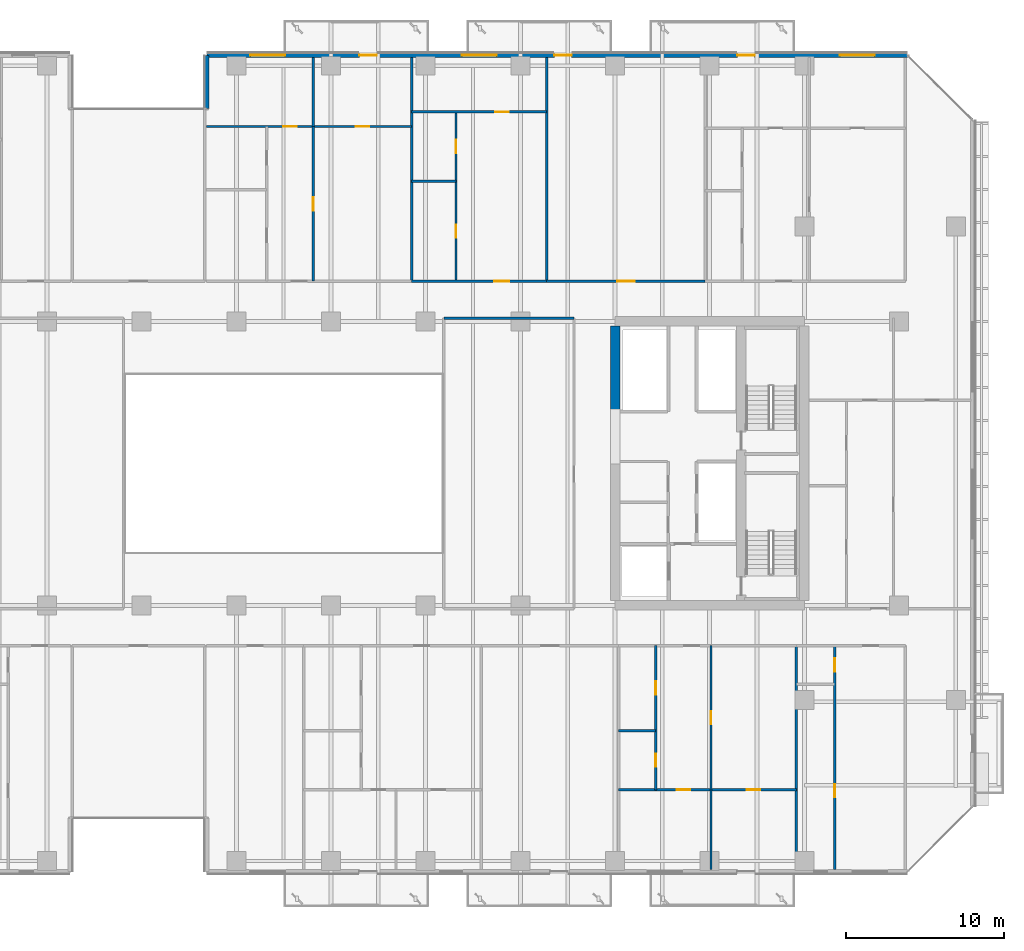
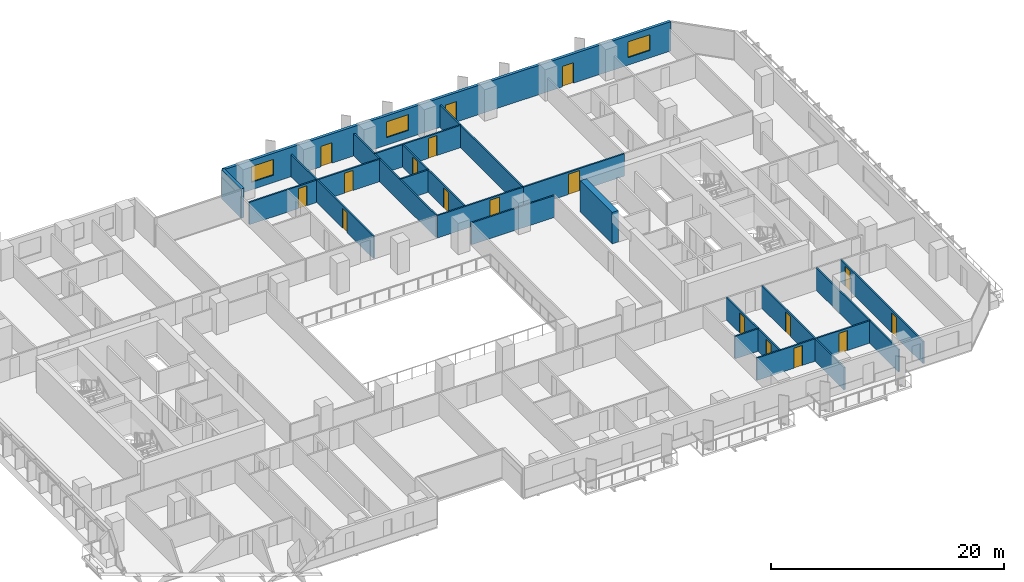
# One storey, part 21 of 33: 21 walls, 18 doors, 3 windows, 21 openings.
"""IFC4 building model written with IfcOpenShell, lengths in metres."""

from ifc_helpers import new_model, si_unit, direction, frame, frame_2d, origin, place, context, subcontext, project, spatial, rectangle, extrude, material, layer, layer_set, type_object, element, fill, save


model = new_model("IFC4")

# Units and contexts
model_context = context("Model", 3, precision=1e-05, world=origin(), true_north=direction((0.0, 1.0)))
body_context = subcontext(model_context, "Body", "Model", "MODEL_VIEW")
ifc_project = project(units=[si_unit("LENGTHUNIT", "METRE"), si_unit("AREAUNIT", "SQUARE_METRE"), si_unit("VOLUMEUNIT", "CUBIC_METRE"), si_unit("PLANEANGLEUNIT", "RADIAN"), si_unit("MASSUNIT", "GRAM", prefix="KILO")], contexts=[model_context])

# Site, building, storey
site_placement = place(None, origin())
site = spatial("IfcSite", under=ifc_project, at=site_placement, CompositionType="ELEMENT")
building_placement = place(site_placement, origin())
building = spatial("IfcBuilding", under=site, at=building_placement, Name="Tanjung Sevakor Pilgrim Tower", CompositionType="ELEMENT")
storey_placement = place(building_placement, frame((0.0, 0.0, 35.639892578125)))
storey = spatial("IfcBuildingStorey", under=building, at=storey_placement, Name="L09", CompositionType="ELEMENT", Elevation=35.639892578125)

# Walls
ifc_material_1 = material(Name="Concrete C60/75", Category="concrete")
ifc_layer_1 = layer(ifc_material_1, 0.60009765625)
ifc_layer_set_1 = layer_set([ifc_layer_1], Name="WALL-CW-600")
wall_type_1 = type_object("IfcWallType", Name="WALL-CW-600", PredefinedType="SHEAR", material=ifc_layer_set_1)
wall_1_placement = place(storey_placement, frame((78.0, 36.800048828125, 0.0), z_axis=(0.0, 0.0, 1.0), x_axis=(0.0, 1.0, 0.0)))
element("IfcWall", 1, at=wall_1_placement, inside=storey, type_object=wall_type_1, Name="L09 E Core Inner Shear Wall North", PredefinedType="SHEAR", context=body_context, shape_type="SweptSolid", body=[
    extrude(rectangle(XDim=5.5, YDim=0.60009765625, at=frame_2d((2.75, 0.0))), origin(), (0.0, 0.0, 1.0), 3.300048828125),
])
ifc_material_2 = material(Name="Concrete C40/50", Category="concrete")
ifc_layer_2 = layer(ifc_material_2, 0.14990234375)
ifc_layer_set_2 = layer_set([ifc_layer_2], Name="WT-COMP-150")
wall_type_2 = type_object("IfcWallType", Name="WT-COMP-150", PredefinedType="SOLIDWALL", material=ifc_layer_set_2)
wall_2_placement = place(storey_placement, frame((67.14990234375, 42.800048828125, 0.0), z_axis=(0.0, 0.0, 1.0), x_axis=(1.0, 0.0, 0.0)))
element("IfcWall", 2, at=wall_2_placement, inside=storey, type_object=wall_type_2, Name="L09 Partition IW-L09-028", PredefinedType="SOLIDWALL", context=body_context, shape_type="SweptSolid", body=[
    extrude(rectangle(XDim=8.25, YDim=0.14990234375, at=frame_2d((4.125, 0.0))), origin(), (0.0, 0.0, 1.0), 2.295166015625),
])
for number, where, z_axis, x_axis, name in (
    (3, (89.4892578125, 7.8798828125, 0.0), (0.0, 0.0, 1.0), (0.0, 1.0, 0.0), "L09 Partition IW-L09-069"),
    (4, (65.10888671875, 45.14990234375, 0.0), (0.0, 0.0, 1.0), (0.0, 1.0, 0.0), "L09 Partition IW-L09-092"),
    (5, (73.669677734375, 45.14990234375, 0.0), (0.0, 0.0, 1.0), (0.0, 1.0, 0.0), "L09 Partition IW-L09-099"),
):
    element("IfcWall", number, at=place(storey_placement, frame(where, z_axis=z_axis, x_axis=x_axis)), inside=storey, type_object=wall_type_2, Name=name, PredefinedType="SOLIDWALL", context=body_context, shape_type="SweptSolid", body=[
        extrude(rectangle(XDim=14.170166015625, YDim=0.14990234375, at=frame_2d((7.0849609375, 0.0))), origin(), (0.0, 0.0, 1.0), 2.35009765625),
    ])

# Wall, opening, door
wall_3_placement = place(storey_placement, frame((65.10888671875, 45.14990234375, 0.0), z_axis=(0.0, 0.0, 1.0), x_axis=(1.0, 0.0, 0.0)))
wall_3 = element("IfcWall", 6, at=wall_3_placement, inside=storey, type_object=wall_type_2, Name="L09 Partition IW-L09-103", PredefinedType="SOLIDWALL", context=body_context, shape_type="SweptSolid", body=[
    extrude(rectangle(XDim=8.560791015625, YDim=0.14990234375, at=frame_2d((4.2802734375, 0.0))), origin(), (0.0, 0.0, 1.0), 2.35009765625),
])
opening_1_placement = place(wall_3_placement, frame((5.2509765625, 0.0, 0.0)))
opening_1 = element("IfcOpeningElement", 7, at=opening_1_placement, cuts=wall_3, Name="Opening ID-FD2", PredefinedType="OPENING", context=body_context, shape_type="SweptSolid", body=[
    extrude(rectangle(XDim=0.949951171875, YDim=2.14990234375, at=frame_2d((0.47509765625, 1.074951171875))), frame((0.0, 0.0849609375, 0.0), z_axis=(0.0, -1.0, 0.0), x_axis=(1.0, 0.0, 0.0)), (0.0, 0.0, 1.0), 0.169921875),
])
ifc_material_3 = material(Name="Fire-Rated Timber", Category="wood")
door_type_1 = type_object("IfcDoorType", Name="DT-FIRE-950", OperationType="NOTDEFINED", PredefinedType="DOOR", material=ifc_material_3)
door_1_placement = place(opening_1_placement, origin())
door_1 = element("IfcDoor", 8, at=door_1_placement, inside=storey, type_object=door_type_1, Name="Residence Entrance", OperationType="SINGLE_SWING_LEFT", OverallHeight=2.14990234375, OverallWidth=0.949951171875, PredefinedType="DOOR", context=body_context, shape_type="SweptSolid", body=[
    extrude(rectangle(XDim=0.949951171875, YDim=2.14990234375, at=frame_2d((0.47509765625, 1.074951171875))), frame((0.0, 0.02490234375, 0.0), z_axis=(0.0, -1.0, 0.0), x_axis=(1.0, 0.0, 0.0)), (0.0, 0.0, 1.0), 0.050048828125),
])
fill(opening_1, door_1)

wall_4_placement = place(storey_placement, frame((73.669677734375, 45.14990234375, 0.0), z_axis=(0.0, 0.0, 1.0), x_axis=(1.0, 0.0, 0.0)))
wall_4 = element("IfcWall", 9, at=wall_4_placement, inside=storey, type_object=wall_type_2, Name="L09 Partition IW-L09-105", PredefinedType="SOLIDWALL", context=body_context, shape_type="SweptSolid", body=[
    extrude(rectangle(XDim=10.03662109375, YDim=0.14990234375, at=frame_2d((5.018310546875, 0.0))), origin(), (0.0, 0.0, 1.0), 2.35009765625),
])
opening_2_placement = place(wall_4_placement, frame((4.468505859375, 0.0, 0.0)))
opening_2 = element("IfcOpeningElement", 10, at=opening_2_placement, cuts=wall_4, Name="Opening ID-FD0", PredefinedType="OPENING", context=body_context, shape_type="SweptSolid", body=[
    extrude(rectangle(XDim=1.10009765625, YDim=2.14990234375, at=frame_2d((0.550048828125, 1.074951171875))), frame((0.0, 0.0849609375, 0.0), z_axis=(0.0, -1.0, 0.0), x_axis=(1.0, 0.0, 0.0)), (0.0, 0.0, 1.0), 0.169921875),
])
ifc_material_4 = material(Name="Fire-Rated Steel S355J2", Category="steel")
door_type_2 = type_object("IfcDoorType", Name="DT-FIRE-1100", OperationType="NOTDEFINED", PredefinedType="DOOR", material=ifc_material_4)
door_2_placement = place(opening_2_placement, origin())
door_2 = element("IfcDoor", 11, at=door_2_placement, inside=storey, type_object=door_type_2, Name="Council Room Door", OperationType="SINGLE_SWING_RIGHT", OverallHeight=2.14990234375, OverallWidth=1.10009765625, PredefinedType="DOOR", context=body_context, shape_type="SweptSolid", body=[
    extrude(rectangle(XDim=1.10009765625, YDim=2.14990234375, at=frame_2d((0.550048828125, 1.074951171875))), frame((0.0, 0.02490234375, 0.0), z_axis=(0.0, -1.0, 0.0), x_axis=(1.0, 0.0, 0.0)), (0.0, 0.0, 1.0), 0.050048828125),
])
fill(opening_2, door_2)

# Wall, openings, doors, windows
ifc_material_5 = material(Name="Precast concrete C45/55", Category="concrete")
ifc_layer_3 = layer(ifc_material_5, 0.280029296875)
ifc_layer_set_3 = layer_set([ifc_layer_3], Name="WT-EW-STN2")
wall_type_3 = type_object("IfcWallType", Name="WT-EW-STN2", PredefinedType="SOLIDWALL", material=ifc_layer_set_3)
wall_5_placement = place(storey_placement, frame((96.5419921875, 59.4599609375, 0.0), z_axis=(0.0, 0.0, 1.0), x_axis=(-1.0, 0.0, 0.0)))
wall_5 = element("IfcWall", 12, at=wall_5_placement, inside=storey, type_object=wall_type_3, Name="L09 MAIN Exterior Wall 9", PredefinedType="SOLIDWALL", context=body_context, shape_type="SweptSolid", body=[
    extrude(rectangle(XDim=44.402099609375, YDim=0.280029296875, at=frame_2d((22.201171875, 0.0))), origin(), (0.0, 0.0, 1.0), 3.080078125),
])
opening_3_placement = place(wall_5_placement, frame((33.64208984375, 0.0, 0.0)))
opening_3 = element("IfcOpeningElement", 13, at=opening_3_placement, cuts=wall_5, Name="Opening ED-BAL-1100", PredefinedType="OPENING", context=body_context, shape_type="SweptSolid", body=[
    extrude(rectangle(XDim=1.10009765625, YDim=2.14990234375, at=frame_2d((0.550048828125, 1.074951171875))), frame((0.0, 0.14990234375, 0.0), z_axis=(0.0, -1.0, 0.0), x_axis=(1.0, 0.0, 0.0)), (0.0, 0.0, 1.0), 0.300048828125),
])
opening_4_placement = place(wall_5_placement, frame((21.2919921875, 0.0, 0.0)))
opening_4 = element("IfcOpeningElement", 14, at=opening_4_placement, cuts=wall_5, Name="Opening ED-BAL-1100", PredefinedType="OPENING", context=body_context, shape_type="SweptSolid", body=[
    extrude(rectangle(XDim=1.10009765625, YDim=2.14990234375, at=frame_2d((0.550048828125, 1.074951171875))), frame((0.0, 0.14990234375, 0.0), z_axis=(0.0, -1.0, 0.0), x_axis=(1.0, 0.0, 0.0)), (0.0, 0.0, 1.0), 0.300048828125),
])
opening_5_placement = place(wall_5_placement, frame((9.69189453125, 0.0, 0.0)))
opening_5 = element("IfcOpeningElement", 15, at=opening_5_placement, cuts=wall_5, Name="Opening ED-BAL-1100", PredefinedType="OPENING", context=body_context, shape_type="SweptSolid", body=[
    extrude(rectangle(XDim=1.10009765625, YDim=2.14990234375, at=frame_2d((0.550048828125, 1.074951171875))), frame((0.0, 0.14990234375, 0.0), z_axis=(0.0, -1.0, 0.0), x_axis=(1.0, 0.0, 0.0)), (0.0, 0.0, 1.0), 0.300048828125),
])
opening_6_placement = place(wall_5_placement, frame((39.454833984375, 0.0, 0.780029296875)))
opening_6 = element("IfcOpeningElement", 16, at=opening_6_placement, cuts=wall_5, Name="Opening WN-Z1-1660", PredefinedType="OPENING", context=body_context, shape_type="SweptSolid", body=[
    extrude(rectangle(XDim=2.199951171875, YDim=1.659912109375, at=frame_2d((1.10009765625, 0.830078125))), frame((0.0, 0.14990234375, 0.0), z_axis=(0.0, -1.0, 0.0), x_axis=(1.0, 0.0, 0.0)), (0.0, 0.0, 1.0), 0.300048828125),
])
opening_7_placement = place(wall_5_placement, frame((26.052734375, 0.0, 0.780029296875)))
opening_7 = element("IfcOpeningElement", 17, at=opening_7_placement, cuts=wall_5, Name="Opening WN-Z1-1660", PredefinedType="OPENING", context=body_context, shape_type="SweptSolid", body=[
    extrude(rectangle(XDim=2.199951171875, YDim=1.659912109375, at=frame_2d((1.10009765625, 0.830078125))), frame((0.0, 0.14990234375, 0.0), z_axis=(0.0, -1.0, 0.0), x_axis=(1.0, 0.0, 0.0)), (0.0, 0.0, 1.0), 0.300048828125),
])
opening_8_placement = place(wall_5_placement, frame((2.098388671875, 0.0, 0.780029296875)))
opening_8 = element("IfcOpeningElement", 18, at=opening_8_placement, cuts=wall_5, Name="Opening WN-Z1-1660", PredefinedType="OPENING", context=body_context, shape_type="SweptSolid", body=[
    extrude(rectangle(XDim=2.199951171875, YDim=1.659912109375, at=frame_2d((1.10009765625, 0.830078125))), frame((0.0, 0.14990234375, 0.0), z_axis=(0.0, -1.0, 0.0), x_axis=(1.0, 0.0, 0.0)), (0.0, 0.0, 1.0), 0.300048828125),
])
ifc_material_6 = material(Name="Anodised Aluminium and Laminated Glass", Category="aluminium")
door_type_3 = type_object("IfcDoorType", Name="DTYP-ED-BAL-1100", OperationType="NOTDEFINED", PredefinedType="DOOR", material=ifc_material_6)
door_3_placement = place(opening_3_placement, frame((1.10009765625, 0.0, 0.0), z_axis=(0.0, 0.0, 1.0), x_axis=(-1.0, 0.0, 0.0)))
door_3 = element("IfcDoor", 19, at=door_3_placement, inside=storey, type_object=door_type_3, Name="L09 Balcony Door MAIN-N2", OperationType="SINGLE_SWING_LEFT", OverallHeight=2.14990234375, OverallWidth=1.10009765625, PredefinedType="DOOR", context=body_context, shape_type="SweptSolid", body=[
    extrude(rectangle(XDim=1.10009765625, YDim=2.14990234375, at=frame_2d((0.550048828125, 1.074951171875))), frame((0.0, 0.02490234375, 0.0), z_axis=(0.0, -1.0, 0.0), x_axis=(1.0, 0.0, 0.0)), (0.0, 0.0, 1.0), 0.050048828125),
])
fill(opening_3, door_3)
door_4_placement = place(opening_4_placement, frame((1.10009765625, 0.0, 0.0), z_axis=(0.0, 0.0, 1.0), x_axis=(-1.0, 0.0, 0.0)))
door_4 = element("IfcDoor", 20, at=door_4_placement, inside=storey, type_object=door_type_3, Name="L09 Balcony Door MAIN-N3", OperationType="SINGLE_SWING_RIGHT", OverallHeight=2.14990234375, OverallWidth=1.10009765625, PredefinedType="DOOR", context=body_context, shape_type="SweptSolid", body=[
    extrude(rectangle(XDim=1.10009765625, YDim=2.14990234375, at=frame_2d((0.550048828125, 1.074951171875))), frame((0.0, 0.02490234375, 0.0), z_axis=(0.0, -1.0, 0.0), x_axis=(1.0, 0.0, 0.0)), (0.0, 0.0, 1.0), 0.050048828125),
])
fill(opening_4, door_4)
door_5_placement = place(opening_5_placement, frame((1.10009765625, 0.0, 0.0), z_axis=(0.0, 0.0, 1.0), x_axis=(-1.0, 0.0, 0.0)))
door_5 = element("IfcDoor", 21, at=door_5_placement, inside=storey, type_object=door_type_3, Name="L09 Balcony Door MAIN-N4", OperationType="SINGLE_SWING_LEFT", OverallHeight=2.14990234375, OverallWidth=1.10009765625, PredefinedType="DOOR", context=body_context, shape_type="SweptSolid", body=[
    extrude(rectangle(XDim=1.10009765625, YDim=2.14990234375, at=frame_2d((0.550048828125, 1.074951171875))), frame((0.0, 0.02490234375, 0.0), z_axis=(0.0, -1.0, 0.0), x_axis=(1.0, 0.0, 0.0)), (0.0, 0.0, 1.0), 0.050048828125),
])
fill(opening_5, door_5)
ifc_material_7 = material(Name="Thermally Broken Aluminium and Low-E Glass", Category="aluminium")
window_type = type_object("IfcWindowType", Name="WTYP-WN-Z1-1660", PartitioningType="DOUBLE_PANEL_VERTICAL", PredefinedType="WINDOW", material=ifc_material_7)
window_1_placement = place(opening_6_placement, origin())
window_1 = element("IfcWindow", 22, at=window_1_placement, inside=storey, type_object=window_type, Name="L09 Facade Window 01", OverallHeight=1.659912109375, OverallWidth=2.199951171875, PartitioningType="SINGLE_PANEL", PredefinedType="WINDOW", context=body_context, shape_type="SweptSolid", body=[
    extrude(rectangle(XDim=2.199951171875, YDim=1.659912109375, at=frame_2d((1.10009765625, 0.830078125))), frame((0.0, 0.030029296875, 0.0), z_axis=(0.0, -1.0, 0.0), x_axis=(1.0, 0.0, 0.0)), (0.0, 0.0, 1.0), 0.06005859375),
])
fill(opening_6, window_1)
window_2_placement = place(opening_7_placement, origin())
window_2 = element("IfcWindow", 23, at=window_2_placement, inside=storey, type_object=window_type, Name="L09 Facade Window 02", OverallHeight=1.659912109375, OverallWidth=2.199951171875, PartitioningType="SINGLE_PANEL", PredefinedType="WINDOW", context=body_context, shape_type="SweptSolid", body=[
    extrude(rectangle(XDim=2.199951171875, YDim=1.659912109375, at=frame_2d((1.10009765625, 0.830078125))), frame((0.0, 0.030029296875, 0.0), z_axis=(0.0, -1.0, 0.0), x_axis=(1.0, 0.0, 0.0)), (0.0, 0.0, 1.0), 0.06005859375),
])
fill(opening_7, window_2)
window_3_placement = place(opening_8_placement, origin())
window_3 = element("IfcWindow", 24, at=window_3_placement, inside=storey, type_object=window_type, Name="L09 Facade Window 03", OverallHeight=1.659912109375, OverallWidth=2.199951171875, PartitioningType="SINGLE_PANEL", PredefinedType="WINDOW", context=body_context, shape_type="SweptSolid", body=[
    extrude(rectangle(XDim=2.199951171875, YDim=1.659912109375, at=frame_2d((1.10009765625, 0.830078125))), frame((0.0, 0.030029296875, 0.0), z_axis=(0.0, -1.0, 0.0), x_axis=(1.0, 0.0, 0.0)), (0.0, 0.0, 1.0), 0.06005859375),
])
fill(opening_8, window_3)

# Wall
wall_6_placement = place(storey_placement, frame((52.139892578125, 59.4599609375, 0.0), z_axis=(0.0, 0.0, 1.0), x_axis=(0.0, -1.0, 0.0)))
element("IfcWall", 25, at=wall_6_placement, inside=storey, type_object=wall_type_3, Name="L09 MAIN Exterior Wall 10", PredefinedType="SOLIDWALL", context=body_context, shape_type="SweptSolid", body=[
    extrude(rectangle(XDim=3.39990234375, YDim=0.280029296875, at=frame_2d((1.699951171875, 0.0))), origin(), (0.0, 0.0, 1.0), 3.080078125),
])

# Wall, opening, door
ifc_material_8 = material(Name="Gypsum Board Partition", Category="gypsum board")
ifc_layer_4 = layer(ifc_material_8, 0.14990234375)
ifc_layer_set_4 = layer_set([ifc_layer_4], Name="WT-PART-150")
wall_type_4 = type_object("IfcWallType", Name="WT-PART-150", PredefinedType="PARTITIONING", material=ifc_layer_set_4)
wall_7_placement = place(storey_placement, frame((84.08349609375, 12.91748046875, 0.0), z_axis=(0.0, 0.0, 1.0), x_axis=(0.0, 1.0, 0.0)))
wall_7 = element("IfcWall", 26, at=wall_7_placement, inside=storey, type_object=wall_type_4, Name="L09 Partition IW-L09-070", PredefinedType="PARTITIONING", context=body_context, shape_type="SweptSolid", body=[
    extrude(rectangle(XDim=9.132568359375, YDim=0.14990234375, at=frame_2d((4.56640625, 0.0))), origin(), (0.0, 0.0, 1.0), 2.35009765625),
])
opening_9_placement = place(wall_7_placement, frame((4.141357421875, 0.0, 0.0)))
opening_9 = element("IfcOpeningElement", 27, at=opening_9_placement, cuts=wall_7, Name="Opening ID-WC1", PredefinedType="OPENING", context=body_context, shape_type="SweptSolid", body=[
    extrude(rectangle(XDim=0.85009765625, YDim=2.10009765625, at=frame_2d((0.425048828125, 1.050048828125))), frame((0.0, 0.0849609375, 0.0), z_axis=(0.0, -1.0, 0.0), x_axis=(1.0, 0.0, 0.0)), (0.0, 0.0, 1.0), 0.169921875),
])
ifc_material_9 = material(Name="Moisture-Resistant Timber", Category="wood")
door_type_4 = type_object("IfcDoorType", Name="DT-INT-850", OperationType="NOTDEFINED", PredefinedType="DOOR", material=ifc_material_9)
door_6_placement = place(opening_9_placement, origin())
door_6 = element("IfcDoor", 28, at=door_6_placement, inside=storey, type_object=door_type_4, Name="Suite Study Room Door", OperationType="SINGLE_SWING_LEFT", OverallHeight=2.10009765625, OverallWidth=0.85009765625, PredefinedType="DOOR", context=body_context, shape_type="SweptSolid", body=[
    extrude(rectangle(XDim=0.85009765625, YDim=2.10009765625, at=frame_2d((0.425048828125, 1.050048828125))), frame((0.0, 0.02490234375, 0.0), z_axis=(0.0, -1.0, 0.0), x_axis=(1.0, 0.0, 0.0)), (0.0, 0.0, 1.0), 0.050048828125),
])
fill(opening_9, door_6)

# Wall
wall_8_placement = place(storey_placement, frame((78.227294921875, 16.661865234375, 0.0), z_axis=(0.0, 0.0, 1.0), x_axis=(1.0, 0.0, 0.0)))
element("IfcWall", 29, at=wall_8_placement, inside=storey, type_object=wall_type_4, Name="L09 Partition IW-L09-071", PredefinedType="PARTITIONING", context=body_context, shape_type="SweptSolid", body=[
    extrude(rectangle(XDim=2.35009765625, YDim=0.14990234375, at=frame_2d((1.175048828125, 0.0))), origin(), (0.0, 0.0, 1.0), 2.35009765625),
])

# Wall, openings, doors
wall_9_placement = place(storey_placement, frame((80.577392578125, 12.91748046875, 0.0), z_axis=(0.0, 0.0, 1.0), x_axis=(0.0, 1.0, 0.0)))
wall_9 = element("IfcWall", 30, at=wall_9_placement, inside=storey, type_object=wall_type_4, Name="L09 Partition IW-L09-072", PredefinedType="PARTITIONING", context=body_context, shape_type="SweptSolid", body=[
    extrude(rectangle(XDim=9.132568359375, YDim=0.14990234375, at=frame_2d((4.56640625, 0.0))), origin(), (0.0, 0.0, 1.0), 2.35009765625),
])
opening_10_placement = place(wall_9_placement, frame((1.447265625, 0.0, 0.0)))
opening_10 = element("IfcOpeningElement", 31, at=opening_10_placement, cuts=wall_9, Name="Opening ID-WC1", PredefinedType="OPENING", context=body_context, shape_type="SweptSolid", body=[
    extrude(rectangle(XDim=0.85009765625, YDim=2.10009765625, at=frame_2d((0.425048828125, 1.050048828125))), frame((0.0, 0.0849609375, 0.0), z_axis=(0.0, -1.0, 0.0), x_axis=(1.0, 0.0, 0.0)), (0.0, 0.0, 1.0), 0.169921875),
])
opening_11_placement = place(wall_9_placement, frame((6.013427734375, 0.0, 0.0)))
opening_11 = element("IfcOpeningElement", 32, at=opening_11_placement, cuts=wall_9, Name="Opening ID-WC1", PredefinedType="OPENING", context=body_context, shape_type="SweptSolid", body=[
    extrude(rectangle(XDim=0.85009765625, YDim=2.10009765625, at=frame_2d((0.425048828125, 1.050048828125))), frame((0.0, 0.0849609375, 0.0), z_axis=(0.0, -1.0, 0.0), x_axis=(1.0, 0.0, 0.0)), (0.0, 0.0, 1.0), 0.169921875),
])
door_7_placement = place(opening_10_placement, origin())
door_7 = element("IfcDoor", 33, at=door_7_placement, inside=storey, type_object=door_type_4, Name="Suite Bathroom Door", OperationType="SINGLE_SWING_RIGHT", OverallHeight=2.10009765625, OverallWidth=0.85009765625, PredefinedType="DOOR", context=body_context, shape_type="SweptSolid", body=[
    extrude(rectangle(XDim=0.85009765625, YDim=2.10009765625, at=frame_2d((0.425048828125, 1.050048828125))), frame((0.0, 0.02490234375, 0.0), z_axis=(0.0, -1.0, 0.0), x_axis=(1.0, 0.0, 0.0)), (0.0, 0.0, 1.0), 0.050048828125),
])
fill(opening_10, door_7)
door_8_placement = place(opening_11_placement, origin())
door_8 = element("IfcDoor", 34, at=door_8_placement, inside=storey, type_object=door_type_4, Name="Suite Kitchenette Door", OperationType="SINGLE_SWING_LEFT", OverallHeight=2.10009765625, OverallWidth=0.85009765625, PredefinedType="DOOR", context=body_context, shape_type="SweptSolid", body=[
    extrude(rectangle(XDim=0.85009765625, YDim=2.10009765625, at=frame_2d((0.425048828125, 1.050048828125))), frame((0.0, 0.02490234375, 0.0), z_axis=(0.0, -1.0, 0.0), x_axis=(1.0, 0.0, 0.0)), (0.0, 0.0, 1.0), 0.050048828125),
])
fill(opening_11, door_8)

# Wall
wall_10_placement = place(storey_placement, frame((84.08349609375, 7.8798828125, 0.0), z_axis=(0.0, 0.0, 1.0), x_axis=(0.0, 1.0, 0.0)))
element("IfcWall", 35, at=wall_10_placement, inside=storey, type_object=wall_type_4, Name="L09 Partition IW-L09-073", PredefinedType="PARTITIONING", context=body_context, shape_type="SweptSolid", body=[
    extrude(rectangle(XDim=5.03759765625, YDim=0.14990234375, at=frame_2d((2.518798828125, 0.0))), origin(), (0.0, 0.0, 1.0), 2.35009765625),
])

# Wall, openings, doors
wall_11_placement = place(storey_placement, frame((78.227294921875, 12.91748046875, 0.0), z_axis=(0.0, 0.0, 1.0), x_axis=(1.0, 0.0, 0.0)))
wall_11 = element("IfcWall", 36, at=wall_11_placement, inside=storey, type_object=wall_type_4, Name="L09 Partition IW-L09-074", PredefinedType="PARTITIONING", context=body_context, shape_type="SweptSolid", body=[
    extrude(rectangle(XDim=11.261962890625, YDim=0.14990234375, at=frame_2d((5.630859375, 0.0))), origin(), (0.0, 0.0, 1.0), 2.35009765625),
])
opening_12_placement = place(wall_11_placement, frame((3.677978515625, 0.0, 0.0)))
opening_12 = element("IfcOpeningElement", 37, at=opening_12_placement, cuts=wall_11, Name="Opening ID-WC1", PredefinedType="OPENING", context=body_context, shape_type="SweptSolid", body=[
    extrude(rectangle(XDim=0.85009765625, YDim=2.10009765625, at=frame_2d((0.425048828125, 1.050048828125))), frame((0.0, 0.0849609375, 0.0), z_axis=(0.0, -1.0, 0.0), x_axis=(1.0, 0.0, 0.0)), (0.0, 0.0, 1.0), 0.169921875),
])
opening_13_placement = place(wall_11_placement, frame((8.134033203125, 0.0, 0.0)))
opening_13 = element("IfcOpeningElement", 38, at=opening_13_placement, cuts=wall_11, Name="Opening ID-WC1", PredefinedType="OPENING", context=body_context, shape_type="SweptSolid", body=[
    extrude(rectangle(XDim=0.85009765625, YDim=2.10009765625, at=frame_2d((0.425048828125, 1.050048828125))), frame((0.0, 0.0849609375, 0.0), z_axis=(0.0, -1.0, 0.0), x_axis=(1.0, 0.0, 0.0)), (0.0, 0.0, 1.0), 0.169921875),
])
door_9_placement = place(opening_12_placement, origin())
door_9 = element("IfcDoor", 39, at=door_9_placement, inside=storey, type_object=door_type_4, Name="Suite Bedroom 1 Door", OperationType="SINGLE_SWING_RIGHT", OverallHeight=2.10009765625, OverallWidth=0.85009765625, PredefinedType="DOOR", context=body_context, shape_type="SweptSolid", body=[
    extrude(rectangle(XDim=0.85009765625, YDim=2.10009765625, at=frame_2d((0.425048828125, 1.050048828125))), frame((0.0, 0.02490234375, 0.0), z_axis=(0.0, -1.0, 0.0), x_axis=(1.0, 0.0, 0.0)), (0.0, 0.0, 1.0), 0.050048828125),
])
fill(opening_12, door_9)
door_10_placement = place(opening_13_placement, origin())
door_10 = element("IfcDoor", 40, at=door_10_placement, inside=storey, type_object=door_type_4, Name="Suite Bedroom 2 Door", OperationType="SINGLE_SWING_LEFT", OverallHeight=2.10009765625, OverallWidth=0.85009765625, PredefinedType="DOOR", context=body_context, shape_type="SweptSolid", body=[
    extrude(rectangle(XDim=0.85009765625, YDim=2.10009765625, at=frame_2d((0.425048828125, 1.050048828125))), frame((0.0, 0.02490234375, 0.0), z_axis=(0.0, -1.0, 0.0), x_axis=(1.0, 0.0, 0.0)), (0.0, 0.0, 1.0), 0.050048828125),
])
fill(opening_13, door_10)

wall_12_placement = place(storey_placement, frame((91.919921875, 7.8798828125, 0.0), z_axis=(0.0, 0.0, 1.0), x_axis=(0.0, 1.0, 0.0)))
wall_12 = element("IfcWall", 41, at=wall_12_placement, inside=storey, type_object=wall_type_4, Name="L09 Partition IW-L09-077", PredefinedType="PARTITIONING", context=body_context, shape_type="SweptSolid", body=[
    extrude(rectangle(XDim=14.170166015625, YDim=0.14990234375, at=frame_2d((7.0849609375, 0.0))), origin(), (0.0, 0.0, 1.0), 2.35009765625),
])
opening_14_placement = place(wall_12_placement, frame((4.548095703125, 0.0, 0.0)))
opening_14 = element("IfcOpeningElement", 42, at=opening_14_placement, cuts=wall_12, Name="Opening ID-WC1", PredefinedType="OPENING", context=body_context, shape_type="SweptSolid", body=[
    extrude(rectangle(XDim=0.85009765625, YDim=2.10009765625, at=frame_2d((0.425048828125, 1.050048828125))), frame((0.0, 0.0849609375, 0.0), z_axis=(0.0, -1.0, 0.0), x_axis=(1.0, 0.0, 0.0)), (0.0, 0.0, 1.0), 0.169921875),
])
opening_15_placement = place(wall_12_placement, frame((12.52001953125, 0.0, 0.0)))
opening_15 = element("IfcOpeningElement", 43, at=opening_15_placement, cuts=wall_12, Name="Opening ID-WC1", PredefinedType="OPENING", context=body_context, shape_type="SweptSolid", body=[
    extrude(rectangle(XDim=0.85009765625, YDim=2.10009765625, at=frame_2d((0.425048828125, 1.050048828125))), frame((0.0, 0.0849609375, 0.0), z_axis=(0.0, -1.0, 0.0), x_axis=(1.0, 0.0, 0.0)), (0.0, 0.0, 1.0), 0.169921875),
])
door_11_placement = place(opening_14_placement, origin())
door_11 = element("IfcDoor", 44, at=door_11_placement, inside=storey, type_object=door_type_4, Name="Study Nook Door", OperationType="SINGLE_SWING_LEFT", OverallHeight=2.10009765625, OverallWidth=0.85009765625, PredefinedType="DOOR", context=body_context, shape_type="SweptSolid", body=[
    extrude(rectangle(XDim=0.85009765625, YDim=2.10009765625, at=frame_2d((0.425048828125, 1.050048828125))), frame((0.0, 0.02490234375, 0.0), z_axis=(0.0, -1.0, 0.0), x_axis=(1.0, 0.0, 0.0)), (0.0, 0.0, 1.0), 0.050048828125),
])
fill(opening_14, door_11)
door_12_placement = place(opening_15_placement, origin())
door_12 = element("IfcDoor", 45, at=door_12_placement, inside=storey, type_object=door_type_4, Name="Bathroom Door", OperationType="SINGLE_SWING_RIGHT", OverallHeight=2.10009765625, OverallWidth=0.85009765625, PredefinedType="DOOR", context=body_context, shape_type="SweptSolid", body=[
    extrude(rectangle(XDim=0.85009765625, YDim=2.10009765625, at=frame_2d((0.425048828125, 1.050048828125))), frame((0.0, 0.02490234375, 0.0), z_axis=(0.0, -1.0, 0.0), x_axis=(1.0, 0.0, 0.0)), (0.0, 0.0, 1.0), 0.050048828125),
])
fill(opening_15, door_12)

# Wall, opening, door
wall_13_placement = place(storey_placement, frame((58.874267578125, 45.14990234375, 0.0), z_axis=(0.0, 0.0, 1.0), x_axis=(0.0, 1.0, 0.0)))
wall_13 = element("IfcWall", 46, at=wall_13_placement, inside=storey, type_object=wall_type_4, Name="L09 Partition IW-L09-093", PredefinedType="PARTITIONING", context=body_context, shape_type="SweptSolid", body=[
    extrude(rectangle(XDim=9.802490234375, YDim=0.14990234375, at=frame_2d((4.9013671875, 0.0))), origin(), (0.0, 0.0, 1.0), 2.35009765625),
])
opening_16_placement = place(wall_13_placement, frame((4.476318359375, 0.0, 0.0)))
opening_16 = element("IfcOpeningElement", 47, at=opening_16_placement, cuts=wall_13, Name="Opening ID-WC1", PredefinedType="OPENING", context=body_context, shape_type="SweptSolid", body=[
    extrude(rectangle(XDim=0.85009765625, YDim=2.10009765625, at=frame_2d((0.425048828125, 1.050048828125))), frame((0.0, 0.0849609375, 0.0), z_axis=(0.0, -1.0, 0.0), x_axis=(1.0, 0.0, 0.0)), (0.0, 0.0, 1.0), 0.169921875),
])
door_13_placement = place(opening_16_placement, origin())
door_13 = element("IfcDoor", 48, at=door_13_placement, inside=storey, type_object=door_type_4, Name="Suite Study Room Door", OperationType="SINGLE_SWING_RIGHT", OverallHeight=2.10009765625, OverallWidth=0.85009765625, PredefinedType="DOOR", context=body_context, shape_type="SweptSolid", body=[
    extrude(rectangle(XDim=0.85009765625, YDim=2.10009765625, at=frame_2d((0.425048828125, 1.050048828125))), frame((0.0, 0.02490234375, 0.0), z_axis=(0.0, -1.0, 0.0), x_axis=(1.0, 0.0, 0.0)), (0.0, 0.0, 1.0), 0.050048828125),
])
fill(opening_16, door_13)

# Wall
wall_14_placement = place(storey_placement, frame((58.874267578125, 54.952392578125, 0.0), z_axis=(0.0, 0.0, 1.0), x_axis=(0.0, 1.0, 0.0)))
element("IfcWall", 49, at=wall_14_placement, inside=storey, type_object=wall_type_4, Name="L09 Partition IW-L09-096", PredefinedType="PARTITIONING", context=body_context, shape_type="SweptSolid", body=[
    extrude(rectangle(XDim=4.36767578125, YDim=0.14990234375, at=frame_2d((2.183837890625, 0.0))), origin(), (0.0, 0.0, 1.0), 2.35009765625),
])

# Wall, openings, doors
wall_15_placement = place(storey_placement, frame((52.1201171875, 54.952392578125, 0.0), z_axis=(0.0, 0.0, 1.0), x_axis=(1.0, 0.0, 0.0)))
wall_15 = element("IfcWall", 50, at=wall_15_placement, inside=storey, type_object=wall_type_4, Name="L09 Partition IW-L09-097", PredefinedType="PARTITIONING", context=body_context, shape_type="SweptSolid", body=[
    extrude(rectangle(XDim=12.98876953125, YDim=0.14990234375, at=frame_2d((6.494384765625, 0.0))), origin(), (0.0, 0.0, 1.0), 2.35009765625),
])
opening_17_placement = place(wall_15_placement, frame((4.85205078125, 0.0, 0.0)))
opening_17 = element("IfcOpeningElement", 51, at=opening_17_placement, cuts=wall_15, Name="Opening ID-WC1", PredefinedType="OPENING", context=body_context, shape_type="SweptSolid", body=[
    extrude(rectangle(XDim=0.85009765625, YDim=2.10009765625, at=frame_2d((0.425048828125, 1.050048828125))), frame((0.0, 0.0849609375, 0.0), z_axis=(0.0, -1.0, 0.0), x_axis=(1.0, 0.0, 0.0)), (0.0, 0.0, 1.0), 0.169921875),
])
opening_18_placement = place(wall_15_placement, frame((9.446533203125, 0.0, 0.0)))
opening_18 = element("IfcOpeningElement", 52, at=opening_18_placement, cuts=wall_15, Name="Opening ID-WC1", PredefinedType="OPENING", context=body_context, shape_type="SweptSolid", body=[
    extrude(rectangle(XDim=0.85009765625, YDim=2.10009765625, at=frame_2d((0.425048828125, 1.050048828125))), frame((0.0, 0.0849609375, 0.0), z_axis=(0.0, -1.0, 0.0), x_axis=(1.0, 0.0, 0.0)), (0.0, 0.0, 1.0), 0.169921875),
])
door_14_placement = place(opening_17_placement, origin())
door_14 = element("IfcDoor", 53, at=door_14_placement, inside=storey, type_object=door_type_4, Name="Suite Bedroom 1 Door", OperationType="SINGLE_SWING_LEFT", OverallHeight=2.10009765625, OverallWidth=0.85009765625, PredefinedType="DOOR", context=body_context, shape_type="SweptSolid", body=[
    extrude(rectangle(XDim=0.85009765625, YDim=2.10009765625, at=frame_2d((0.425048828125, 1.050048828125))), frame((0.0, 0.02490234375, 0.0), z_axis=(0.0, -1.0, 0.0), x_axis=(1.0, 0.0, 0.0)), (0.0, 0.0, 1.0), 0.050048828125),
])
fill(opening_17, door_14)
door_15_placement = place(opening_18_placement, origin())
door_15 = element("IfcDoor", 54, at=door_15_placement, inside=storey, type_object=door_type_4, Name="Suite Bedroom 2 Door", OperationType="SINGLE_SWING_RIGHT", OverallHeight=2.10009765625, OverallWidth=0.85009765625, PredefinedType="DOOR", context=body_context, shape_type="SweptSolid", body=[
    extrude(rectangle(XDim=0.85009765625, YDim=2.10009765625, at=frame_2d((0.425048828125, 1.050048828125))), frame((0.0, 0.02490234375, 0.0), z_axis=(0.0, -1.0, 0.0), x_axis=(1.0, 0.0, 0.0)), (0.0, 0.0, 1.0), 0.050048828125),
])
fill(opening_18, door_15)

# Wall
wall_16_placement = place(storey_placement, frame((65.10888671875, 51.477294921875, 0.0), z_axis=(0.0, 0.0, 1.0), x_axis=(1.0, 0.0, 0.0)))
element("IfcWall", 55, at=wall_16_placement, inside=storey, type_object=wall_type_4, Name="L09 Partition IW-L09-100", PredefinedType="PARTITIONING", context=body_context, shape_type="SweptSolid", body=[
    extrude(rectangle(XDim=2.81103515625, YDim=0.14990234375, at=frame_2d((1.405517578125, 0.0))), origin(), (0.0, 0.0, 1.0), 2.35009765625),
])

# Wall, openings, doors
wall_17_placement = place(storey_placement, frame((67.919921875, 45.14990234375, 0.0), z_axis=(0.0, 0.0, 1.0), x_axis=(0.0, 1.0, 0.0)))
wall_17 = element("IfcWall", 56, at=wall_17_placement, inside=storey, type_object=wall_type_4, Name="L09 Partition IW-L09-101", PredefinedType="PARTITIONING", context=body_context, shape_type="SweptSolid", body=[
    extrude(rectangle(XDim=10.72412109375, YDim=0.14990234375, at=frame_2d((5.362060546875, 0.0))), origin(), (0.0, 0.0, 1.0), 2.35009765625),
])
opening_19_placement = place(wall_17_placement, frame((2.738525390625, 0.0, 0.0)))
opening_19 = element("IfcOpeningElement", 57, at=opening_19_placement, cuts=wall_17, Name="Opening ID-WC1", PredefinedType="OPENING", context=body_context, shape_type="SweptSolid", body=[
    extrude(rectangle(XDim=0.85009765625, YDim=2.10009765625, at=frame_2d((0.425048828125, 1.050048828125))), frame((0.0, 0.0849609375, 0.0), z_axis=(0.0, -1.0, 0.0), x_axis=(1.0, 0.0, 0.0)), (0.0, 0.0, 1.0), 0.169921875),
])
opening_20_placement = place(wall_17_placement, frame((8.1005859375, 0.0, 0.0)))
opening_20 = element("IfcOpeningElement", 58, at=opening_20_placement, cuts=wall_17, Name="Opening ID-WC1", PredefinedType="OPENING", context=body_context, shape_type="SweptSolid", body=[
    extrude(rectangle(XDim=0.85009765625, YDim=2.10009765625, at=frame_2d((0.425048828125, 1.050048828125))), frame((0.0, 0.0849609375, 0.0), z_axis=(0.0, -1.0, 0.0), x_axis=(1.0, 0.0, 0.0)), (0.0, 0.0, 1.0), 0.169921875),
])
door_16_placement = place(opening_19_placement, origin())
door_16 = element("IfcDoor", 59, at=door_16_placement, inside=storey, type_object=door_type_4, Name="Residence Kitchenette Door", OperationType="SINGLE_SWING_RIGHT", OverallHeight=2.10009765625, OverallWidth=0.85009765625, PredefinedType="DOOR", context=body_context, shape_type="SweptSolid", body=[
    extrude(rectangle(XDim=0.85009765625, YDim=2.10009765625, at=frame_2d((0.425048828125, 1.050048828125))), frame((0.0, 0.02490234375, 0.0), z_axis=(0.0, -1.0, 0.0), x_axis=(1.0, 0.0, 0.0)), (0.0, 0.0, 1.0), 0.050048828125),
])
fill(opening_19, door_16)
door_17_placement = place(opening_20_placement, origin())
door_17 = element("IfcDoor", 60, at=door_17_placement, inside=storey, type_object=door_type_4, Name="Residence Bathroom Door", OperationType="SINGLE_SWING_LEFT", OverallHeight=2.10009765625, OverallWidth=0.85009765625, PredefinedType="DOOR", context=body_context, shape_type="SweptSolid", body=[
    extrude(rectangle(XDim=0.85009765625, YDim=2.10009765625, at=frame_2d((0.425048828125, 1.050048828125))), frame((0.0, 0.02490234375, 0.0), z_axis=(0.0, -1.0, 0.0), x_axis=(1.0, 0.0, 0.0)), (0.0, 0.0, 1.0), 0.050048828125),
])
fill(opening_20, door_17)

# Wall, opening, door
wall_18_placement = place(storey_placement, frame((65.10888671875, 55.8740234375, 0.0), z_axis=(0.0, 0.0, 1.0), x_axis=(1.0, 0.0, 0.0)))
wall_18 = element("IfcWall", 61, at=wall_18_placement, inside=storey, type_object=wall_type_4, Name="L09 Partition IW-L09-102", PredefinedType="PARTITIONING", context=body_context, shape_type="SweptSolid", body=[
    extrude(rectangle(XDim=8.560791015625, YDim=0.14990234375, at=frame_2d((4.2802734375, 0.0))), origin(), (0.0, 0.0, 1.0), 2.35009765625),
])
opening_21_placement = place(wall_18_placement, frame((5.301025390625, 0.0, 0.0)))
opening_21 = element("IfcOpeningElement", 62, at=opening_21_placement, cuts=wall_18, Name="Opening ID-WC1", PredefinedType="OPENING", context=body_context, shape_type="SweptSolid", body=[
    extrude(rectangle(XDim=0.85009765625, YDim=2.10009765625, at=frame_2d((0.425048828125, 1.050048828125))), frame((0.0, 0.0849609375, 0.0), z_axis=(0.0, -1.0, 0.0), x_axis=(1.0, 0.0, 0.0)), (0.0, 0.0, 1.0), 0.169921875),
])
door_18_placement = place(opening_21_placement, origin())
door_18 = element("IfcDoor", 63, at=door_18_placement, inside=storey, type_object=door_type_4, Name="Residence Bedroom Door", OperationType="SINGLE_SWING_RIGHT", OverallHeight=2.10009765625, OverallWidth=0.85009765625, PredefinedType="DOOR", context=body_context, shape_type="SweptSolid", body=[
    extrude(rectangle(XDim=0.85009765625, YDim=2.10009765625, at=frame_2d((0.425048828125, 1.050048828125))), frame((0.0, 0.02490234375, 0.0), z_axis=(0.0, -1.0, 0.0), x_axis=(1.0, 0.0, 0.0)), (0.0, 0.0, 1.0), 0.050048828125),
])
fill(opening_21, door_18)

save(model, "model.ifc")
